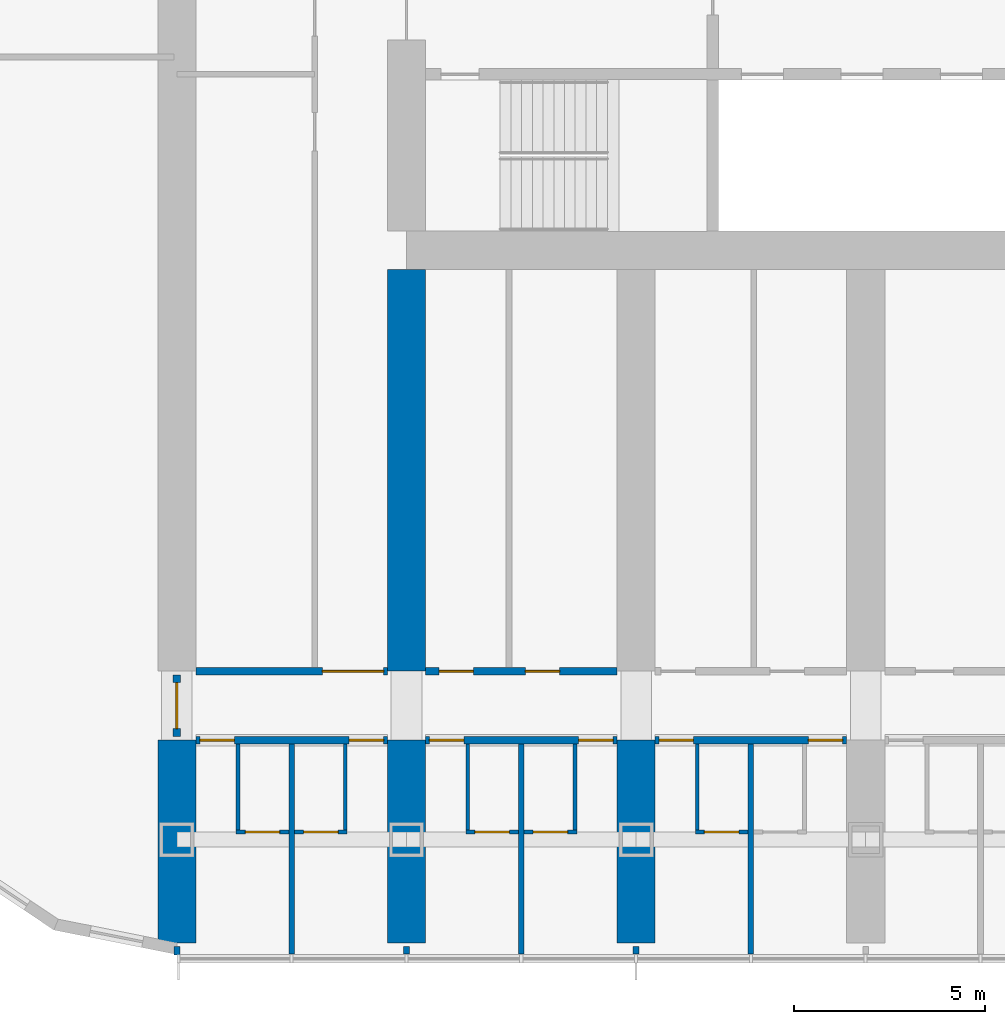
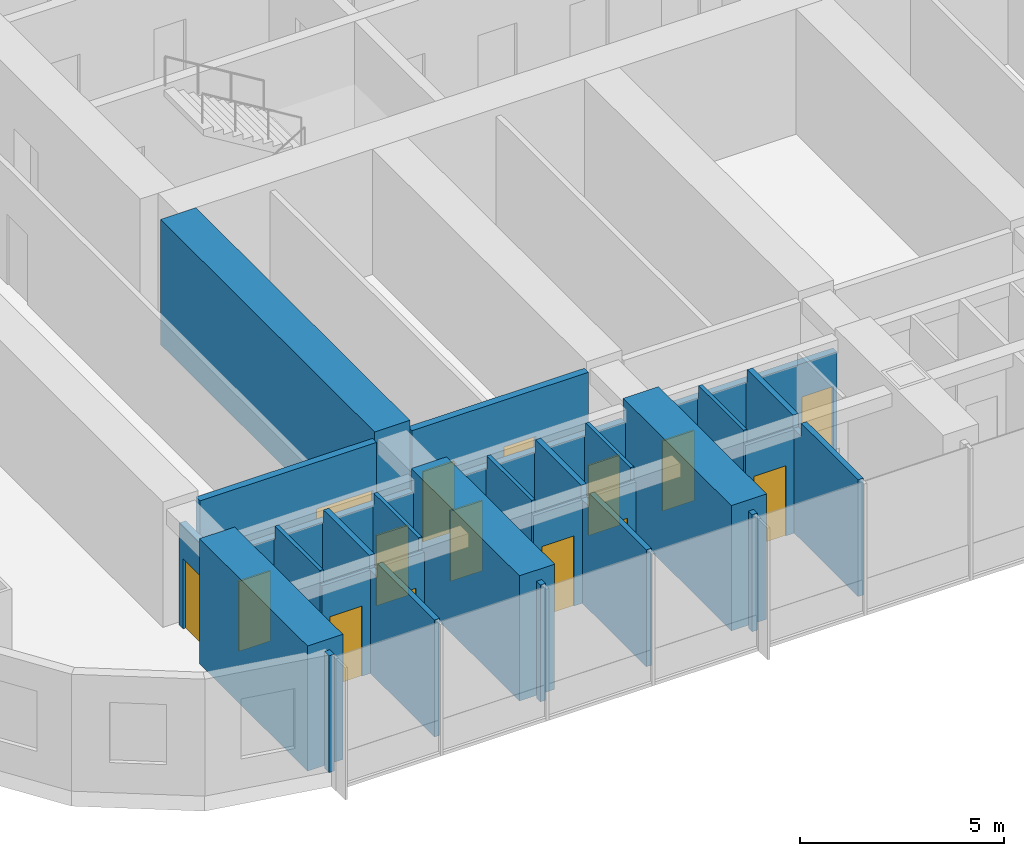
# One storey, part 12 of 28: 26 walls, 15 doors, 15 openings.
"""IFC4 building model written with IfcOpenShell, lengths in metres."""

from ifc_helpers import new_model, si_unit, direction, frame, frame_2d, origin, place, context, subcontext, project, spatial, polyline, rectangle, outline, extrude, material, layer, layer_set, type_object, element, fill, save


model = new_model("IFC4")

# Units and contexts
model_context = context("Model", 3, precision=1e-05, world=origin(), true_north=direction((0.0, 1.0)))
body_context = subcontext(model_context, "Body", "Model", "MODEL_VIEW")
ifc_project = project(units=[si_unit("LENGTHUNIT", "METRE"), si_unit("AREAUNIT", "SQUARE_METRE"), si_unit("VOLUMEUNIT", "CUBIC_METRE"), si_unit("PLANEANGLEUNIT", "RADIAN"), si_unit("MASSUNIT", "GRAM", prefix="KILO")], contexts=[model_context])

# Site, building, storey
site_placement = place(None, origin())
site = spatial("IfcSite", under=ifc_project, at=site_placement, CompositionType="ELEMENT")
building_placement = place(site_placement, origin())
building = spatial("IfcBuilding", under=site, at=building_placement, Name="Orbita Commons", CompositionType="ELEMENT")
storey_placement = place(building_placement, frame((0.0, 0.0, 38.949951171875)))
storey = spatial("IfcBuildingStorey", under=building, at=storey_placement, Name="L09", CompositionType="ELEMENT", Elevation=38.949951171875)

# Wall, openings, doors
ifc_material_1 = material(Name="Concrete blockwork", Category="masonry")
ifc_layer_1 = layer(ifc_material_1, 0.199951171875)
ifc_layer_set_1 = layer_set([ifc_layer_1], Name="Concrete blockwork")
wall_type_1 = type_object("IfcWallType", Name="Corridor wall 200 blockwork", PredefinedType="SOLIDWALL", material=ifc_layer_set_1)
wall_1_placement = place(storey_placement, frame((12.5, 13.0, 0.0), z_axis=(0.0, 0.0, 1.0), x_axis=(1.0, 0.0, 0.0)))
wall_1 = element("IfcWall", 1, at=wall_1_placement, inside=storey, type_object=wall_type_1, Name="Corridor wall 200 blockwork L09", PredefinedType="SOLIDWALL", context=body_context, shape_type="SweptSolid", body=[
    extrude(outline(polyline([(0.0, 0.0), (5.0, 0.0), (5.0, 3.10009765625), (0.0, 3.10009765625), (0.0, 0.0)])), frame((0.0, 0.10009765625, 0.0), z_axis=(0.0, -1.0, 0.0), x_axis=(1.0, 0.0, 0.0)), (0.0, 0.0, 1.0), 0.199951171875),
])
opening_1_placement = place(wall_1_placement, frame((0.10009765625, 0.0, 0.0)))
opening_1 = element("IfcOpeningElement", 2, at=opening_1_placement, cuts=wall_1, Name="Opening D11", PredefinedType="OPENING", context=body_context, shape_type="SweptSolid", body=[
    extrude(rectangle(XDim=0.89990234375, YDim=2.10009765625, at=frame_2d((0.449951171875, 1.050048828125))), frame((0.0, 0.10986328125, 0.0), z_axis=(0.0, -1.0, 0.0), x_axis=(1.0, 0.0, 0.0)), (0.0, 0.0, 1.0), 0.219970703125),
])
opening_2_placement = place(wall_1_placement, frame((4.0, 0.0, 0.0)))
opening_2 = element("IfcOpeningElement", 3, at=opening_2_placement, cuts=wall_1, Name="Opening D11", PredefinedType="OPENING", context=body_context, shape_type="SweptSolid", body=[
    extrude(rectangle(XDim=0.89990234375, YDim=2.10009765625, at=frame_2d((0.449951171875, 1.050048828125))), frame((0.0, 0.10986328125, 0.0), z_axis=(0.0, -1.0, 0.0), x_axis=(1.0, 0.0, 0.0)), (0.0, 0.0, 1.0), 0.219970703125),
])
ifc_material_2 = material(Name="Steel-faced fire door leaf", Category="steel")
door_type_1 = type_object("IfcDoorType", Name="Corridor door 20 min 900x2100", OperationType="SINGLE_SWING_LEFT", PredefinedType="DOOR", material=ifc_material_2)
door_1_placement = place(opening_1_placement, origin())
door_1 = element("IfcDoor", 4, at=door_1_placement, inside=storey, type_object=door_type_1, Name="House bedroom L09-S00 door", OperationType="SINGLE_SWING_LEFT", OverallHeight=2.10009765625, OverallWidth=0.89990234375, PredefinedType="DOOR", context=body_context, shape_type="SweptSolid", body=[
    extrude(rectangle(XDim=0.89990234375, YDim=2.10009765625, at=frame_2d((0.449951171875, 1.050048828125))), frame((0.0, 0.02490234375, 0.0), z_axis=(0.0, -1.0, 0.0), x_axis=(1.0, 0.0, 0.0)), (0.0, 0.0, 1.0), 0.050048828125),
])
fill(opening_1, door_1)
door_2_placement = place(opening_2_placement, origin())
door_2 = element("IfcDoor", 5, at=door_2_placement, inside=storey, type_object=door_type_1, Name="House bedroom L09-S01 door", OperationType="SINGLE_SWING_LEFT", OverallHeight=2.10009765625, OverallWidth=0.89990234375, PredefinedType="DOOR", context=body_context, shape_type="SweptSolid", body=[
    extrude(rectangle(XDim=0.89990234375, YDim=2.10009765625, at=frame_2d((0.449951171875, 1.050048828125))), frame((0.0, 0.02490234375, 0.0), z_axis=(0.0, -1.0, 0.0), x_axis=(1.0, 0.0, 0.0)), (0.0, 0.0, 1.0), 0.050048828125),
])
fill(opening_2, door_2)

wall_2_placement = place(storey_placement, frame((18.5, 13.0, 0.0), z_axis=(0.0, 0.0, 1.0), x_axis=(1.0, 0.0, 0.0)))
wall_2 = element("IfcWall", 6, at=wall_2_placement, inside=storey, type_object=wall_type_1, Name="Corridor wall 200 blockwork L09", PredefinedType="SOLIDWALL", context=body_context, shape_type="SweptSolid", body=[
    extrude(outline(polyline([(0.0, 0.0), (5.0, 0.0), (5.0, 3.10009765625), (0.0, 3.10009765625), (0.0, 0.0)])), frame((0.0, 0.10009765625, 0.0), z_axis=(0.0, -1.0, 0.0), x_axis=(1.0, 0.0, 0.0)), (0.0, 0.0, 1.0), 0.199951171875),
])
opening_3_placement = place(wall_2_placement, frame((0.10009765625, 0.0, 0.0)))
opening_3 = element("IfcOpeningElement", 7, at=opening_3_placement, cuts=wall_2, Name="Opening D11", PredefinedType="OPENING", context=body_context, shape_type="SweptSolid", body=[
    extrude(rectangle(XDim=0.89990234375, YDim=2.10009765625, at=frame_2d((0.449951171875, 1.050048828125))), frame((0.0, 0.10986328125, 0.0), z_axis=(0.0, -1.0, 0.0), x_axis=(1.0, 0.0, 0.0)), (0.0, 0.0, 1.0), 0.219970703125),
])
opening_4_placement = place(wall_2_placement, frame((4.0, 0.0, 0.0)))
opening_4 = element("IfcOpeningElement", 8, at=opening_4_placement, cuts=wall_2, Name="Opening D11", PredefinedType="OPENING", context=body_context, shape_type="SweptSolid", body=[
    extrude(rectangle(XDim=0.89990234375, YDim=2.10009765625, at=frame_2d((0.449951171875, 1.050048828125))), frame((0.0, 0.10986328125, 0.0), z_axis=(0.0, -1.0, 0.0), x_axis=(1.0, 0.0, 0.0)), (0.0, 0.0, 1.0), 0.219970703125),
])
door_3_placement = place(opening_3_placement, origin())
door_3 = element("IfcDoor", 9, at=door_3_placement, inside=storey, type_object=door_type_1, Name="House bedroom L09-S02 door", OperationType="SINGLE_SWING_LEFT", OverallHeight=2.10009765625, OverallWidth=0.89990234375, PredefinedType="DOOR", context=body_context, shape_type="SweptSolid", body=[
    extrude(rectangle(XDim=0.89990234375, YDim=2.10009765625, at=frame_2d((0.449951171875, 1.050048828125))), frame((0.0, 0.02490234375, 0.0), z_axis=(0.0, -1.0, 0.0), x_axis=(1.0, 0.0, 0.0)), (0.0, 0.0, 1.0), 0.050048828125),
])
fill(opening_3, door_3)
door_4_placement = place(opening_4_placement, origin())
door_4 = element("IfcDoor", 10, at=door_4_placement, inside=storey, type_object=door_type_1, Name="House bedroom L09-S03 door", OperationType="SINGLE_SWING_LEFT", OverallHeight=2.10009765625, OverallWidth=0.89990234375, PredefinedType="DOOR", context=body_context, shape_type="SweptSolid", body=[
    extrude(rectangle(XDim=0.89990234375, YDim=2.10009765625, at=frame_2d((0.449951171875, 1.050048828125))), frame((0.0, 0.02490234375, 0.0), z_axis=(0.0, -1.0, 0.0), x_axis=(1.0, 0.0, 0.0)), (0.0, 0.0, 1.0), 0.050048828125),
])
fill(opening_4, door_4)

wall_3_placement = place(storey_placement, frame((24.5, 13.0, 0.0), z_axis=(0.0, 0.0, 1.0), x_axis=(1.0, 0.0, 0.0)))
wall_3 = element("IfcWall", 11, at=wall_3_placement, inside=storey, type_object=wall_type_1, Name="Corridor wall 200 blockwork L09", PredefinedType="SOLIDWALL", context=body_context, shape_type="SweptSolid", body=[
    extrude(outline(polyline([(0.0, 0.0), (5.0, 0.0), (5.0, 3.10009765625), (0.0, 3.10009765625), (0.0, 0.0)])), frame((0.0, 0.10009765625, 0.0), z_axis=(0.0, -1.0, 0.0), x_axis=(1.0, 0.0, 0.0)), (0.0, 0.0, 1.0), 0.199951171875),
])
opening_5_placement = place(wall_3_placement, frame((0.10009765625, 0.0, 0.0)))
opening_5 = element("IfcOpeningElement", 12, at=opening_5_placement, cuts=wall_3, Name="Opening D11", PredefinedType="OPENING", context=body_context, shape_type="SweptSolid", body=[
    extrude(rectangle(XDim=0.89990234375, YDim=2.10009765625, at=frame_2d((0.449951171875, 1.050048828125))), frame((0.0, 0.10986328125, 0.0), z_axis=(0.0, -1.0, 0.0), x_axis=(1.0, 0.0, 0.0)), (0.0, 0.0, 1.0), 0.219970703125),
])
opening_6_placement = place(wall_3_placement, frame((4.0, 0.0, 0.0)))
opening_6 = element("IfcOpeningElement", 13, at=opening_6_placement, cuts=wall_3, Name="Opening D11", PredefinedType="OPENING", context=body_context, shape_type="SweptSolid", body=[
    extrude(rectangle(XDim=0.89990234375, YDim=2.10009765625, at=frame_2d((0.449951171875, 1.050048828125))), frame((0.0, 0.10986328125, 0.0), z_axis=(0.0, -1.0, 0.0), x_axis=(1.0, 0.0, 0.0)), (0.0, 0.0, 1.0), 0.219970703125),
])
door_5_placement = place(opening_5_placement, origin())
door_5 = element("IfcDoor", 14, at=door_5_placement, inside=storey, type_object=door_type_1, Name="House bedroom L09-S04 door", OperationType="SINGLE_SWING_LEFT", OverallHeight=2.10009765625, OverallWidth=0.89990234375, PredefinedType="DOOR", context=body_context, shape_type="SweptSolid", body=[
    extrude(rectangle(XDim=0.89990234375, YDim=2.10009765625, at=frame_2d((0.449951171875, 1.050048828125))), frame((0.0, 0.02490234375, 0.0), z_axis=(0.0, -1.0, 0.0), x_axis=(1.0, 0.0, 0.0)), (0.0, 0.0, 1.0), 0.050048828125),
])
fill(opening_5, door_5)
door_6_placement = place(opening_6_placement, origin())
door_6 = element("IfcDoor", 15, at=door_6_placement, inside=storey, type_object=door_type_1, Name="House bedroom L09-S05 door", OperationType="SINGLE_SWING_LEFT", OverallHeight=2.10009765625, OverallWidth=0.89990234375, PredefinedType="DOOR", context=body_context, shape_type="SweptSolid", body=[
    extrude(rectangle(XDim=0.89990234375, YDim=2.10009765625, at=frame_2d((0.449951171875, 1.050048828125))), frame((0.0, 0.02490234375, 0.0), z_axis=(0.0, -1.0, 0.0), x_axis=(1.0, 0.0, 0.0)), (0.0, 0.0, 1.0), 0.050048828125),
])
fill(opening_6, door_6)

# Wall, opening, door
wall_4_placement = place(storey_placement, frame((12.0, 13.10009765625, 0.0), z_axis=(0.0, 0.0, 1.0), x_axis=(0.0, 1.0, 0.0)))
wall_4 = element("IfcWall", 16, at=wall_4_placement, inside=storey, type_object=wall_type_1, Name="Corridor wall 200 blockwork L09", PredefinedType="SOLIDWALL", context=body_context, shape_type="SweptSolid", body=[
    extrude(outline(polyline([(0.0, 0.0), (1.599853515625, 0.0), (1.60009765625, 3.050048828125), (0.0, 3.050048828125), (0.0, 0.0)])), frame((0.0, 0.10009765625, 0.0), z_axis=(0.0, -1.0, 0.0), x_axis=(1.0, 0.0, 0.0)), (0.0, 0.0, 1.0), 0.199951171875),
])
opening_7_placement = place(wall_4_placement, frame((0.199951171875, 0.0, 0.0)))
opening_7 = element("IfcOpeningElement", 17, at=opening_7_placement, cuts=wall_4, Name="Opening D12", PredefinedType="OPENING", context=body_context, shape_type="SweptSolid", body=[
    extrude(rectangle(XDim=1.199951171875, YDim=2.10009765625, at=frame_2d((0.60009765625, 1.050048828125))), frame((0.0, 0.10986328125, 0.0), z_axis=(0.0, -1.0, 0.0), x_axis=(1.0, 0.0, 0.0)), (0.0, 0.0, 1.0), 0.219970703125),
])
ifc_material_3 = material(Name="Steel-faced fire door leaf", Category="steel")
door_type_2 = type_object("IfcDoorType", Name="Double corridor door 20 min 1200x2100", OperationType="DOUBLE_DOOR_SINGLE_SWING", PredefinedType="DOOR", material=ifc_material_3)
door_7_placement = place(opening_7_placement, origin())
door_7 = element("IfcDoor", 18, at=door_7_placement, inside=storey, type_object=door_type_2, Name="Lounge doors", OperationType="DOUBLE_DOOR_SINGLE_SWING", OverallHeight=2.10009765625, OverallWidth=1.199951171875, PredefinedType="DOOR", context=body_context, shape_type="SweptSolid", body=[
    extrude(rectangle(XDim=1.199951171875, YDim=2.10009765625, at=frame_2d((0.60009765625, 1.050048828125))), frame((0.0, 0.02490234375, 0.0), z_axis=(0.0, -1.0, 0.0), x_axis=(1.0, 0.0, 0.0)), (0.0, 0.0, 1.0), 0.050048828125),
])
fill(opening_7, door_7)

ifc_material_4 = material(Name="Hollow concrete block 200", Category="concrete")
ifc_layer_2 = layer(ifc_material_4, 0.199951171875)
ifc_layer_set_2 = layer_set([ifc_layer_2], Name="Hollow concrete block 200")
wall_type_2 = type_object("IfcWallType", Name="Corridor wall 200 hollow concrete block", PredefinedType="SOLIDWALL", material=ifc_layer_set_2)
wall_5_placement = place(storey_placement, frame((12.5, 14.800048828125, 0.0), z_axis=(0.0, 0.0, 1.0), x_axis=(1.0, 0.0, 0.0)))
wall_5 = element("IfcWall", 19, at=wall_5_placement, inside=storey, type_object=wall_type_2, Name="Corridor wall 200 hollow concrete block L09", PredefinedType="SOLIDWALL", context=body_context, shape_type="SweptSolid", body=[
    extrude(rectangle(XDim=5.0, YDim=0.199951171875, at=frame_2d((2.5, 0.0))), origin(), (0.0, 0.0, 1.0), 3.5),
])
opening_8_placement = place(wall_5_placement, frame((3.300048828125, 0.0, 0.0)))
opening_8 = element("IfcOpeningElement", 20, at=opening_8_placement, cuts=wall_5, Name="Opening D10", PredefinedType="OPENING", context=body_context, shape_type="SweptSolid", body=[
    extrude(rectangle(XDim=1.60009765625, YDim=2.10009765625, at=frame_2d((0.800048828125, 1.050048828125))), frame((0.0, 0.10986328125, 0.0), z_axis=(0.0, -1.0, 0.0), x_axis=(1.0, 0.0, 0.0)), (0.0, 0.0, 1.0), 0.219970703125),
])
ifc_material_5 = material(Name="Steel-faced fire door leaf", Category="steel")
door_type_3 = type_object("IfcDoorType", Name="Double corridor door 20 min 1600x2100", OperationType="DOUBLE_DOOR_SINGLE_SWING", PredefinedType="DOOR", material=ifc_material_5)
door_8_placement = place(opening_8_placement, origin())
door_8 = element("IfcDoor", 21, at=door_8_placement, inside=storey, type_object=door_type_3, Name="Cross corridor doors", OperationType="DOUBLE_DOOR_SINGLE_SWING", OverallHeight=2.10009765625, OverallWidth=1.60009765625, PredefinedType="DOOR", context=body_context, shape_type="SweptSolid", body=[
    extrude(rectangle(XDim=1.60009765625, YDim=2.10009765625, at=frame_2d((0.800048828125, 1.050048828125))), frame((0.0, 0.02490234375, 0.0), z_axis=(0.0, -1.0, 0.0), x_axis=(1.0, 0.0, 0.0)), (0.0, 0.0, 1.0), 0.050048828125),
])
fill(opening_8, door_8)

# Wall, openings, doors
wall_6_placement = place(storey_placement, frame((18.5, 14.800048828125, 0.0), z_axis=(0.0, 0.0, 1.0), x_axis=(1.0, 0.0, 0.0)))
wall_6 = element("IfcWall", 22, at=wall_6_placement, inside=storey, type_object=wall_type_2, Name="Corridor wall 200 hollow concrete block L09", PredefinedType="SOLIDWALL", context=body_context, shape_type="SweptSolid", body=[
    extrude(rectangle(XDim=5.0, YDim=0.199951171875, at=frame_2d((2.5, 0.0))), origin(), (0.0, 0.0, 1.0), 3.5),
])
opening_9_placement = place(wall_6_placement, frame((0.35009765625, 0.0, 0.0)))
opening_9 = element("IfcOpeningElement", 23, at=opening_9_placement, cuts=wall_6, Name="Opening D11", PredefinedType="OPENING", context=body_context, shape_type="SweptSolid", body=[
    extrude(rectangle(XDim=0.89990234375, YDim=2.10009765625, at=frame_2d((0.449951171875, 1.050048828125))), frame((0.0, 0.10986328125, 0.0), z_axis=(0.0, -1.0, 0.0), x_axis=(1.0, 0.0, 0.0)), (0.0, 0.0, 1.0), 0.219970703125),
])
opening_10_placement = place(wall_6_placement, frame((2.60498046875, 0.0, 0.0)))
opening_10 = element("IfcOpeningElement", 24, at=opening_10_placement, cuts=wall_6, Name="Opening D11", PredefinedType="OPENING", context=body_context, shape_type="SweptSolid", body=[
    extrude(rectangle(XDim=0.89990234375, YDim=2.10009765625, at=frame_2d((0.449951171875, 1.050048828125))), frame((0.0, 0.10986328125, 0.0), z_axis=(0.0, -1.0, 0.0), x_axis=(1.0, 0.0, 0.0)), (0.0, 0.0, 1.0), 0.219970703125),
])
door_9_placement = place(opening_9_placement, origin())
door_9 = element("IfcDoor", 25, at=door_9_placement, inside=storey, type_object=door_type_1, Name="Accessible WC and shower room L09-BDS18n door", OperationType="SINGLE_SWING_LEFT", OverallHeight=2.10009765625, OverallWidth=0.89990234375, PredefinedType="DOOR", context=body_context, shape_type="SweptSolid", body=[
    extrude(rectangle(XDim=0.89990234375, YDim=2.10009765625, at=frame_2d((0.449951171875, 1.050048828125))), frame((0.0, 0.02490234375, 0.0), z_axis=(0.0, -1.0, 0.0), x_axis=(1.0, 0.0, 0.0)), (0.0, 0.0, 1.0), 0.050048828125),
])
fill(opening_9, door_9)
door_10_placement = place(opening_10_placement, origin())
door_10 = element("IfcDoor", 26, at=door_10_placement, inside=storey, type_object=door_type_1, Name="Table tennis room L09-BDS18 door", OperationType="SINGLE_SWING_LEFT", OverallHeight=2.10009765625, OverallWidth=0.89990234375, PredefinedType="DOOR", context=body_context, shape_type="SweptSolid", body=[
    extrude(rectangle(XDim=0.89990234375, YDim=2.10009765625, at=frame_2d((0.449951171875, 1.050048828125))), frame((0.0, 0.02490234375, 0.0), z_axis=(0.0, -1.0, 0.0), x_axis=(1.0, 0.0, 0.0)), (0.0, 0.0, 1.0), 0.050048828125),
])
fill(opening_10, door_10)

# Walls
ifc_material_6 = material(Name="Concrete C50/60", Category="concrete")
ifc_layer_3 = layer(ifc_material_6, 1.0)
ifc_layer_set_3 = layer_set([ifc_layer_3], Name="Concrete C50/60")
wall_type_3 = type_object("IfcWallType", Name="Cross wall 1000 C50/60", PredefinedType="SHEAR", material=ifc_layer_set_3)
for number, where, z_axis, x_axis, name in (
    (27, (12.0, 7.699951171875, 0.0), (0.0, 0.0, 1.0), (0.0, 1.0, 0.0), "Cross wall 3 south outer L09"),
    (28, (18.0, 7.699951171875, 0.0), (0.0, 0.0, 1.0), (0.0, 1.0, 0.0), "Cross wall 4 south outer L09"),
):
    element("IfcWall", number, at=place(storey_placement, frame(where, z_axis=z_axis, x_axis=x_axis)), inside=storey, type_object=wall_type_3, Name=name, PredefinedType="SHEAR", context=body_context, shape_type="SweptSolid", body=[
        extrude(rectangle(XDim=5.300048828125, YDim=1.0, at=frame_2d((2.64990234375, 0.0))), origin(), (0.0, 0.0, 1.0), 3.75),
    ])
wall_7_placement = place(storey_placement, frame((18.0, 14.800048828125, 0.0), z_axis=(0.0, 0.0, 1.0), x_axis=(0.0, 1.0, 0.0)))
element("IfcWall", 29, at=wall_7_placement, inside=storey, type_object=wall_type_3, Name="Cross wall 4 south inner L09", PredefinedType="SHEAR", context=body_context, shape_type="SweptSolid", body=[
    extrude(rectangle(XDim=10.5, YDim=1.0, at=frame_2d((5.25, 0.0))), origin(), (0.0, 0.0, 1.0), 3.75),
])
wall_8_placement = place(storey_placement, frame((24.0, 7.699951171875, 0.0), z_axis=(0.0, 0.0, 1.0), x_axis=(0.0, 1.0, 0.0)))
element("IfcWall", 30, at=wall_8_placement, inside=storey, type_object=wall_type_3, Name="Cross wall 5 south outer L09", PredefinedType="SHEAR", context=body_context, shape_type="SweptSolid", body=[
    extrude(rectangle(XDim=5.300048828125, YDim=1.0, at=frame_2d((2.64990234375, 0.0))), origin(), (0.0, 0.0, 1.0), 3.75),
])

# Wall, opening, door
ifc_material_7 = material(Name="Moisture-resistant plasterboard on steel studs", Category="steel")
ifc_layer_4 = layer(ifc_material_7, 0.10009765625)
ifc_layer_set_4 = layer_set([ifc_layer_4], Name="Moisture-resistant plasterboard on steel studs")
wall_type_4 = type_object("IfcWallType", Name="En-suite partition 100", PredefinedType="PARTITIONING", material=ifc_layer_set_4)
wall_9_placement = place(storey_placement, frame((14.925048828125, 10.59814453125, 0.0), z_axis=(0.0, 0.0, 1.0), x_axis=(-1.0, 0.0, 0.0)))
wall_9 = element("IfcWall", 31, at=wall_9_placement, inside=storey, type_object=wall_type_4, Name="En-suite partition 100 L09", PredefinedType="PARTITIONING", context=body_context, shape_type="SweptSolid", body=[
    extrude(outline(polyline([(0.0, 0.0), (1.375, 0.0), (1.375, 3.10009765625), (0.0, 3.10009765625), (0.0, 0.0)])), frame((0.0, 0.050048828125, 0.0), z_axis=(0.0, -1.0, 0.0), x_axis=(1.0, 0.0, 0.0)), (0.0, 0.0, 1.0), 0.10009765625),
])
opening_11_placement = place(wall_9_placement, frame((0.237548828125, 0.0, 0.0)))
opening_11 = element("IfcOpeningElement", 32, at=opening_11_placement, cuts=wall_9, Name="Opening D09", PredefinedType="OPENING", context=body_context, shape_type="SweptSolid", body=[
    extrude(rectangle(XDim=0.89990234375, YDim=2.10009765625, at=frame_2d((0.449951171875, 1.050048828125))), frame((0.0, 0.06005859375, 0.0), z_axis=(0.0, -1.0, 0.0), x_axis=(1.0, 0.0, 0.0)), (0.0, 0.0, 1.0), 0.1201171875),
])
ifc_material_8 = material(Name="Laminated timber door leaf", Category="wood")
door_type_4 = type_object("IfcDoorType", Name="En-suite door 900x2100", OperationType="SINGLE_SWING_RIGHT", PredefinedType="DOOR", material=ifc_material_8)
door_11_placement = place(opening_11_placement, origin())
door_11 = element("IfcDoor", 33, at=door_11_placement, inside=storey, type_object=door_type_4, Name="En-suite L09-S00 door", OperationType="SINGLE_SWING_RIGHT", OverallHeight=2.10009765625, OverallWidth=0.89990234375, PredefinedType="DOOR", context=body_context, shape_type="SweptSolid", body=[
    extrude(rectangle(XDim=0.89990234375, YDim=2.10009765625, at=frame_2d((0.449951171875, 1.050048828125))), frame((0.0, 0.02490234375, 0.0), z_axis=(0.0, -1.0, 0.0), x_axis=(1.0, 0.0, 0.0)), (0.0, 0.0, 1.0), 0.050048828125),
])
fill(opening_11, door_11)

# Wall
wall_10_placement = place(storey_placement, frame((13.60009765625, 10.648193359375, 0.0), z_axis=(0.0, 0.0, 1.0), x_axis=(0.0, 1.0, 0.0)))
element("IfcWall", 34, at=wall_10_placement, inside=storey, type_object=wall_type_4, Name="En-suite partition 100 L09", PredefinedType="PARTITIONING", context=body_context, shape_type="SweptSolid", body=[
    extrude(outline(polyline([(0.0, 0.0), (2.251708984375, 0.0), (2.251953125, 3.10009765625), (2.203857421875, 3.10009765625), (2.201904296875, 3.5), (0.0, 3.5), (0.0, 0.0)])), frame((0.0, 0.050048828125, 0.0), z_axis=(0.0, -1.0, 0.0), x_axis=(1.0, 0.0, 0.0)), (0.0, 0.0, 1.0), 0.10009765625),
])

# Wall, opening, door
wall_11_placement = place(storey_placement, frame((16.449951171875, 10.59814453125, 0.0), z_axis=(0.0, 0.0, 1.0), x_axis=(-1.0, 0.0, 0.0)))
wall_11 = element("IfcWall", 35, at=wall_11_placement, inside=storey, type_object=wall_type_4, Name="En-suite partition 100 L09", PredefinedType="PARTITIONING", context=body_context, shape_type="SweptSolid", body=[
    extrude(outline(polyline([(0.0, 0.0), (1.375, 0.0), (1.375, 3.10009765625), (0.0, 3.10009765625), (0.0, 0.0)])), frame((0.0, 0.050048828125, 0.0), z_axis=(0.0, -1.0, 0.0), x_axis=(1.0, 0.0, 0.0)), (0.0, 0.0, 1.0), 0.10009765625),
])
opening_12_placement = place(wall_11_placement, frame((0.237548828125, 0.0, 0.0)))
opening_12 = element("IfcOpeningElement", 36, at=opening_12_placement, cuts=wall_11, Name="Opening D09", PredefinedType="OPENING", context=body_context, shape_type="SweptSolid", body=[
    extrude(rectangle(XDim=0.89990234375, YDim=2.10009765625, at=frame_2d((0.449951171875, 1.050048828125))), frame((0.0, 0.06005859375, 0.0), z_axis=(0.0, -1.0, 0.0), x_axis=(1.0, 0.0, 0.0)), (0.0, 0.0, 1.0), 0.1201171875),
])
door_12_placement = place(opening_12_placement, origin())
door_12 = element("IfcDoor", 37, at=door_12_placement, inside=storey, type_object=door_type_4, Name="En-suite L09-S01 door", OperationType="SINGLE_SWING_RIGHT", OverallHeight=2.10009765625, OverallWidth=0.89990234375, PredefinedType="DOOR", context=body_context, shape_type="SweptSolid", body=[
    extrude(rectangle(XDim=0.89990234375, YDim=2.10009765625, at=frame_2d((0.449951171875, 1.050048828125))), frame((0.0, 0.02490234375, 0.0), z_axis=(0.0, -1.0, 0.0), x_axis=(1.0, 0.0, 0.0)), (0.0, 0.0, 1.0), 0.050048828125),
])
fill(opening_12, door_12)

# Wall
wall_12_placement = place(storey_placement, frame((16.39990234375, 10.648193359375, 0.0), z_axis=(0.0, 0.0, 1.0), x_axis=(0.0, 1.0, 0.0)))
element("IfcWall", 38, at=wall_12_placement, inside=storey, type_object=wall_type_4, Name="En-suite partition 100 L09", PredefinedType="PARTITIONING", context=body_context, shape_type="SweptSolid", body=[
    extrude(outline(polyline([(0.0, 0.0), (2.251708984375, 0.0), (2.251953125, 3.10009765625), (2.203857421875, 3.10009765625), (2.201904296875, 3.5), (0.0, 3.5), (0.0, 0.0)])), frame((0.0, 0.050048828125, 0.0), z_axis=(0.0, -1.0, 0.0), x_axis=(1.0, 0.0, 0.0)), (0.0, 0.0, 1.0), 0.10009765625),
])

# Wall, opening, door
wall_13_placement = place(storey_placement, frame((20.925048828125, 10.59814453125, 0.0), z_axis=(0.0, 0.0, 1.0), x_axis=(-1.0, 0.0, 0.0)))
wall_13 = element("IfcWall", 39, at=wall_13_placement, inside=storey, type_object=wall_type_4, Name="En-suite partition 100 L09", PredefinedType="PARTITIONING", context=body_context, shape_type="SweptSolid", body=[
    extrude(outline(polyline([(0.0, 0.0), (1.375, 0.0), (1.375, 3.10009765625), (0.0, 3.10009765625), (0.0, 0.0)])), frame((0.0, 0.050048828125, 0.0), z_axis=(0.0, -1.0, 0.0), x_axis=(1.0, 0.0, 0.0)), (0.0, 0.0, 1.0), 0.10009765625),
])
opening_13_placement = place(wall_13_placement, frame((0.237548828125, 0.0, 0.0)))
opening_13 = element("IfcOpeningElement", 40, at=opening_13_placement, cuts=wall_13, Name="Opening D09", PredefinedType="OPENING", context=body_context, shape_type="SweptSolid", body=[
    extrude(rectangle(XDim=0.89990234375, YDim=2.10009765625, at=frame_2d((0.449951171875, 1.050048828125))), frame((0.0, 0.06005859375, 0.0), z_axis=(0.0, -1.0, 0.0), x_axis=(1.0, 0.0, 0.0)), (0.0, 0.0, 1.0), 0.1201171875),
])
door_13_placement = place(opening_13_placement, origin())
door_13 = element("IfcDoor", 41, at=door_13_placement, inside=storey, type_object=door_type_4, Name="En-suite L09-S02 door", OperationType="SINGLE_SWING_RIGHT", OverallHeight=2.10009765625, OverallWidth=0.89990234375, PredefinedType="DOOR", context=body_context, shape_type="SweptSolid", body=[
    extrude(rectangle(XDim=0.89990234375, YDim=2.10009765625, at=frame_2d((0.449951171875, 1.050048828125))), frame((0.0, 0.02490234375, 0.0), z_axis=(0.0, -1.0, 0.0), x_axis=(1.0, 0.0, 0.0)), (0.0, 0.0, 1.0), 0.050048828125),
])
fill(opening_13, door_13)

# Wall
wall_14_placement = place(storey_placement, frame((19.60009765625, 10.648193359375, 0.0), z_axis=(0.0, 0.0, 1.0), x_axis=(0.0, 1.0, 0.0)))
element("IfcWall", 42, at=wall_14_placement, inside=storey, type_object=wall_type_4, Name="En-suite partition 100 L09", PredefinedType="PARTITIONING", context=body_context, shape_type="SweptSolid", body=[
    extrude(outline(polyline([(0.0, 0.0), (2.251708984375, 0.0), (2.251953125, 3.10009765625), (2.203857421875, 3.10009765625), (2.201904296875, 3.5), (0.0, 3.5), (0.0, 0.0)])), frame((0.0, 0.050048828125, 0.0), z_axis=(0.0, -1.0, 0.0), x_axis=(1.0, 0.0, 0.0)), (0.0, 0.0, 1.0), 0.10009765625),
])

# Wall, opening, door
wall_15_placement = place(storey_placement, frame((22.449951171875, 10.59814453125, 0.0), z_axis=(0.0, 0.0, 1.0), x_axis=(-1.0, 0.0, 0.0)))
wall_15 = element("IfcWall", 43, at=wall_15_placement, inside=storey, type_object=wall_type_4, Name="En-suite partition 100 L09", PredefinedType="PARTITIONING", context=body_context, shape_type="SweptSolid", body=[
    extrude(outline(polyline([(0.0, 0.0), (1.375, 0.0), (1.375, 3.10009765625), (0.0, 3.10009765625), (0.0, 0.0)])), frame((0.0, 0.050048828125, 0.0), z_axis=(0.0, -1.0, 0.0), x_axis=(1.0, 0.0, 0.0)), (0.0, 0.0, 1.0), 0.10009765625),
])
opening_14_placement = place(wall_15_placement, frame((0.237548828125, 0.0, 0.0)))
opening_14 = element("IfcOpeningElement", 44, at=opening_14_placement, cuts=wall_15, Name="Opening D09", PredefinedType="OPENING", context=body_context, shape_type="SweptSolid", body=[
    extrude(rectangle(XDim=0.89990234375, YDim=2.10009765625, at=frame_2d((0.449951171875, 1.050048828125))), frame((0.0, 0.06005859375, 0.0), z_axis=(0.0, -1.0, 0.0), x_axis=(1.0, 0.0, 0.0)), (0.0, 0.0, 1.0), 0.1201171875),
])
door_14_placement = place(opening_14_placement, origin())
door_14 = element("IfcDoor", 45, at=door_14_placement, inside=storey, type_object=door_type_4, Name="En-suite L09-S03 door", OperationType="SINGLE_SWING_RIGHT", OverallHeight=2.10009765625, OverallWidth=0.89990234375, PredefinedType="DOOR", context=body_context, shape_type="SweptSolid", body=[
    extrude(rectangle(XDim=0.89990234375, YDim=2.10009765625, at=frame_2d((0.449951171875, 1.050048828125))), frame((0.0, 0.02490234375, 0.0), z_axis=(0.0, -1.0, 0.0), x_axis=(1.0, 0.0, 0.0)), (0.0, 0.0, 1.0), 0.050048828125),
])
fill(opening_14, door_14)

# Wall
wall_16_placement = place(storey_placement, frame((22.39990234375, 10.648193359375, 0.0), z_axis=(0.0, 0.0, 1.0), x_axis=(0.0, 1.0, 0.0)))
element("IfcWall", 46, at=wall_16_placement, inside=storey, type_object=wall_type_4, Name="En-suite partition 100 L09", PredefinedType="PARTITIONING", context=body_context, shape_type="SweptSolid", body=[
    extrude(outline(polyline([(0.0, 0.0), (2.251708984375, 0.0), (2.251953125, 3.10009765625), (2.203857421875, 3.10009765625), (2.201904296875, 3.5), (0.0, 3.5), (0.0, 0.0)])), frame((0.0, 0.050048828125, 0.0), z_axis=(0.0, -1.0, 0.0), x_axis=(1.0, 0.0, 0.0)), (0.0, 0.0, 1.0), 0.10009765625),
])

# Wall, opening, door
wall_17_placement = place(storey_placement, frame((26.925048828125, 10.59814453125, 0.0), z_axis=(0.0, 0.0, 1.0), x_axis=(-1.0, 0.0, 0.0)))
wall_17 = element("IfcWall", 47, at=wall_17_placement, inside=storey, type_object=wall_type_4, Name="En-suite partition 100 L09", PredefinedType="PARTITIONING", context=body_context, shape_type="SweptSolid", body=[
    extrude(outline(polyline([(0.0, 0.0), (1.375, 0.0), (1.375, 3.10009765625), (0.0, 3.10009765625), (0.0, 0.0)])), frame((0.0, 0.050048828125, 0.0), z_axis=(0.0, -1.0, 0.0), x_axis=(1.0, 0.0, 0.0)), (0.0, 0.0, 1.0), 0.10009765625),
])
opening_15_placement = place(wall_17_placement, frame((0.237548828125, 0.0, 0.0)))
opening_15 = element("IfcOpeningElement", 48, at=opening_15_placement, cuts=wall_17, Name="Opening D09", PredefinedType="OPENING", context=body_context, shape_type="SweptSolid", body=[
    extrude(rectangle(XDim=0.89990234375, YDim=2.10009765625, at=frame_2d((0.449951171875, 1.050048828125))), frame((0.0, 0.06005859375, 0.0), z_axis=(0.0, -1.0, 0.0), x_axis=(1.0, 0.0, 0.0)), (0.0, 0.0, 1.0), 0.1201171875),
])
door_15_placement = place(opening_15_placement, origin())
door_15 = element("IfcDoor", 49, at=door_15_placement, inside=storey, type_object=door_type_4, Name="En-suite L09-S04 door", OperationType="SINGLE_SWING_RIGHT", OverallHeight=2.10009765625, OverallWidth=0.89990234375, PredefinedType="DOOR", context=body_context, shape_type="SweptSolid", body=[
    extrude(rectangle(XDim=0.89990234375, YDim=2.10009765625, at=frame_2d((0.449951171875, 1.050048828125))), frame((0.0, 0.02490234375, 0.0), z_axis=(0.0, -1.0, 0.0), x_axis=(1.0, 0.0, 0.0)), (0.0, 0.0, 1.0), 0.050048828125),
])
fill(opening_15, door_15)

# Walls
wall_18_placement = place(storey_placement, frame((25.60009765625, 10.648193359375, 0.0), z_axis=(0.0, 0.0, 1.0), x_axis=(0.0, 1.0, 0.0)))
element("IfcWall", 50, at=wall_18_placement, inside=storey, type_object=wall_type_4, Name="En-suite partition 100 L09", PredefinedType="PARTITIONING", context=body_context, shape_type="SweptSolid", body=[
    extrude(outline(polyline([(0.0, 0.0), (2.251708984375, 0.0), (2.251953125, 3.10009765625), (2.203857421875, 3.10009765625), (2.201904296875, 3.5), (0.0, 3.5), (0.0, 0.0)])), frame((0.0, 0.050048828125, 0.0), z_axis=(0.0, -1.0, 0.0), x_axis=(1.0, 0.0, 0.0)), (0.0, 0.0, 1.0), 0.10009765625),
])
ifc_material_9 = material(Name="Gypsum plasterboard on steel studs", Category="steel")
ifc_layer_5 = layer(ifc_material_9, 0.14990234375)
ifc_layer_set_5 = layer_set([ifc_layer_5], Name="Gypsum plasterboard on steel studs")
wall_type_5 = type_object("IfcWallType", Name="Partition 150 plasterboard", PredefinedType="PARTITIONING", material=ifc_layer_set_5)
wall_19_placement = place(storey_placement, frame((12.0, 7.60009765625, 0.0), z_axis=(0.0, 0.0, 1.0), x_axis=(0.0, -1.0, 0.0)))
element("IfcWall", 51, at=wall_19_placement, inside=storey, type_object=wall_type_5, Name="Partition 150 plasterboard L09", PredefinedType="PARTITIONING", context=body_context, shape_type="SweptSolid", body=[
    extrude(rectangle(XDim=0.22021484375, YDim=0.14990234375, at=frame_2d((0.110107421875, 0.0))), origin(), (0.0, 0.0, 1.0), 3.5),
])
for number, where, z_axis, x_axis, name in (
    (52, (18.0, 7.60009765625, 0.0), (0.0, 0.0, 1.0), (0.0, -1.0, 0.0), "Partition 150 plasterboard L09"),
    (53, (24.0, 7.60009765625, 0.0), (0.0, 0.0, 1.0), (0.0, -1.0, 0.0), "Partition 150 plasterboard L09"),
):
    element("IfcWall", number, at=place(storey_placement, frame(where, z_axis=z_axis, x_axis=x_axis)), inside=storey, type_object=wall_type_5, Name=name, PredefinedType="PARTITIONING", context=body_context, shape_type="SweptSolid", body=[
        extrude(rectangle(XDim=0.190185546875, YDim=0.14990234375, at=frame_2d((0.09521484375, 0.0))), origin(), (0.0, 0.0, 1.0), 3.5),
    ])
ifc_material_10 = material(Name="Gypsum plasterboard on steel studs", Category="steel")
ifc_layer_6 = layer(ifc_material_10, 0.14990234375)
ifc_layer_set_6 = layer_set([ifc_layer_6], Name="Gypsum plasterboard on steel studs")
wall_type_6 = type_object("IfcWallType", Name="Party wall 150 plasterboard", PredefinedType="PARTITIONING", material=ifc_layer_set_6)
for number, where, z_axis, x_axis, name in (
    (54, (15.0, 7.409912109375, 0.0), (0.0, 0.0, 1.0), (0.0, 1.0, 0.0), "Party wall 150 plasterboard L09"),
    (55, (21.0, 7.409912109375, 0.0), (0.0, 0.0, 1.0), (0.0, 1.0, 0.0), "Party wall 150 plasterboard L09"),
    (56, (27.0, 7.409912109375, 0.0), (0.0, 0.0, 1.0), (0.0, 1.0, 0.0), "Party wall 150 plasterboard L09"),
):
    element("IfcWall", number, at=place(storey_placement, frame(where, z_axis=z_axis, x_axis=x_axis)), inside=storey, type_object=wall_type_6, Name=name, PredefinedType="PARTITIONING", context=body_context, shape_type="SweptSolid", body=[
        extrude(outline(polyline([(0.0, 0.0), (5.489990234375, 0.0), (5.489990234375, 3.10009765625), (5.44189453125, 3.10009765625), (5.43994140625, 3.5), (3.19189453125, 3.5), (3.18994140625, 3.10009765625), (2.7919921875, 3.10009765625), (2.7900390625, 3.5), (0.0, 3.5), (0.0, 0.0)])), frame((0.0, 0.074951171875, 0.0), z_axis=(0.0, -1.0, 0.0), x_axis=(1.0, 0.0, 0.0)), (0.0, 0.0, 1.0), 0.14990234375),
    ])

save(model, "model.ifc")
